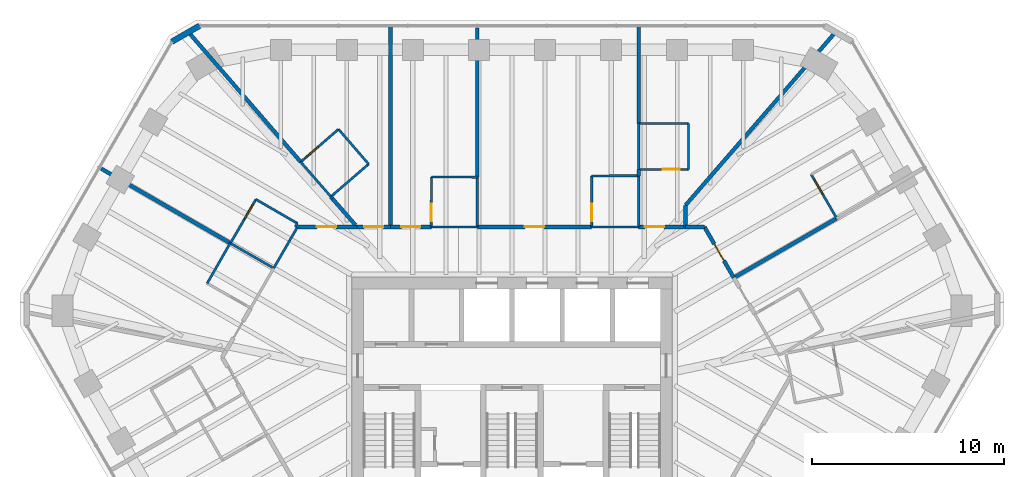
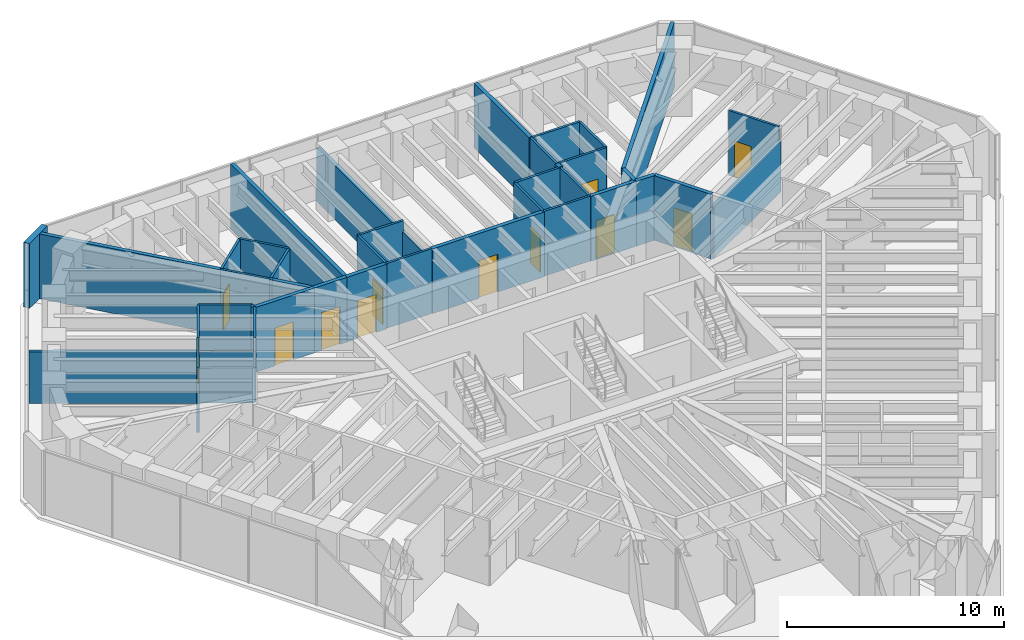
# One storey, part 12 of 14: 42 walls, 12 doors, 12 openings.
"""IFC4 building model written with IfcOpenShell, lengths in metres."""

from ifc_helpers import new_model, si_unit, direction, frame, frame_2d, origin, place, context, subcontext, project, spatial, rectangle, extrude, material, layer, layer_set, type_object, element, fill, save


model = new_model("IFC4")

# Units and contexts
model_context = context("Model", 3, precision=1e-05, world=origin(), true_north=direction((0.0, 1.0)))
body_context = subcontext(model_context, "Body", "Model", "MODEL_VIEW")
ifc_project = project(units=[si_unit("LENGTHUNIT", "METRE"), si_unit("AREAUNIT", "SQUARE_METRE"), si_unit("VOLUMEUNIT", "CUBIC_METRE"), si_unit("PLANEANGLEUNIT", "RADIAN"), si_unit("MASSUNIT", "GRAM", prefix="KILO")], contexts=[model_context])

# Site, building, storey
site_placement = place(None, origin())
site = spatial("IfcSite", under=ifc_project, at=site_placement, CompositionType="ELEMENT")
building_placement = place(site_placement, origin())
building = spatial("IfcBuilding", under=site, at=building_placement, Name="Sandreach Pilgrim Tower", CompositionType="ELEMENT")
storey_placement = place(building_placement, frame((0.0, 0.0, 260.800048828125)))
storey = spatial("IfcBuildingStorey", under=building, at=storey_placement, Name="L65", CompositionType="ELEMENT", Elevation=260.800048828125)

# Walls
ifc_material_1 = material(Name="Moisture-resistant gypsum board on steel studs", Category="steel")
ifc_layer_1 = layer(ifc_material_1, 0.1201171875)
ifc_layer_set_1 = layer_set([ifc_layer_1], Name="Bathroom partition 120")
wall_type_1 = type_object("IfcWallType", Name="Bathroom partition 120", PredefinedType="PARTITIONING", material=ifc_layer_set_1)
wall_1_placement = place(storey_placement, frame((-14.699951171875, 8.489990234375, 0.0), z_axis=(0.0, 0.0, 1.0), x_axis=(-0.496106327528, -0.868261776072, 0.0)))
element("IfcWall", 1, at=wall_1_placement, inside=storey, type_object=wall_type_1, Name="Bathroom partition L65-018", PredefinedType="PARTITIONING", context=body_context, shape_type="SweptSolid", body=[
    extrude(rectangle(XDim=2.418701171875, YDim=0.1201171875, at=frame_2d((1.20947265625, 0.0))), origin(), (0.0, 0.0, 1.0), 3.639892578125),
])
wall_2_placement = place(storey_placement, frame((-14.68994140625, 8.47998046875, 0.0), z_axis=(0.0, 0.0, 1.0), x_axis=(0.866816256489, -0.498627694264, 0.0)))
element("IfcWall", 2, at=wall_2_placement, inside=storey, type_object=wall_type_1, Name="Bathroom partition L65-019", PredefinedType="PARTITIONING", context=body_context, shape_type="SweptSolid", body=[
    extrude(rectangle(XDim=2.607177734375, YDim=0.1201171875, at=frame_2d((1.3037109375, 0.0))), origin(), (0.0, 0.0, 1.0), 2.8779296875),
])

# Wall, opening, door
wall_3_placement = place(storey_placement, frame((-13.360107421875, 10.77001953125, 0.0), z_axis=(0.0, 0.0, 1.0), x_axis=(-0.502173326652, -0.864766991738, 0.0)))
wall_3 = element("IfcWall", 3, at=wall_3_placement, inside=storey, type_object=wall_type_1, Name="Bathroom partition L65-022", PredefinedType="PARTITIONING", context=body_context, shape_type="SweptSolid", body=[
    extrude(rectangle(XDim=2.648193359375, YDim=0.1201171875, at=frame_2d((1.32421875, 0.0))), origin(), (0.0, 0.0, 1.0), 3.639892578125),
])
opening_1_placement = place(wall_3_placement, frame((0.300048828125, 0.0, 0.0)))
opening_1 = element("IfcOpeningElement", 4, at=opening_1_placement, cuts=wall_3, Name="Opening D09-17B", PredefinedType="OPENING", context=body_context, shape_type="SweptSolid", body=[
    extrude(rectangle(XDim=0.89990234375, YDim=2.030029296875, at=frame_2d((0.449951171875, 1.01513671875))), frame((0.0, 0.06005859375, 0.0), z_axis=(0.0, -1.0, 0.0), x_axis=(1.0, 0.0, 0.0)), (0.0, 0.0, 1.0), 0.1201171875),
])
ifc_material_2 = material(Name="Timber door, steel frame", Category="steel")
door_type_1 = type_object("IfcDoorType", Name="Bathroom door", OperationType="SINGLE_SWING_LEFT", PredefinedType="DOOR", material=ifc_material_2)
door_1_placement = place(opening_1_placement, origin())
door_1 = element("IfcDoor", 5, at=door_1_placement, inside=storey, type_object=door_type_1, Name="Door 6517B", OperationType="SINGLE_SWING_LEFT", OverallHeight=2.030029296875, OverallWidth=0.89990234375, PredefinedType="DOOR", context=body_context, shape_type="SweptSolid", body=[
    extrude(rectangle(XDim=0.89990234375, YDim=2.030029296875, at=frame_2d((0.449951171875, 1.01513671875))), frame((0.0, 0.02490234375, 0.0), z_axis=(0.0, -1.0, 0.0), x_axis=(1.0, 0.0, 0.0)), (0.0, 0.0, 1.0), 0.050048828125),
])
fill(opening_1, door_1)

# Walls
wall_4_placement = place(storey_placement, frame((-12.429931640625, 7.179931640625, 0.0), z_axis=(0.0, 0.0, 1.0), x_axis=(0.499577688184, 0.866269088372, 0.0)))
element("IfcWall", 6, at=wall_4_placement, inside=storey, type_object=wall_type_1, Name="Bathroom partition L65-024", PredefinedType="PARTITIONING", context=body_context, shape_type="SweptSolid", body=[
    extrude(rectangle(XDim=2.482177734375, YDim=0.1201171875, at=frame_2d((1.2412109375, 0.0))), origin(), (0.0, 0.0, 1.0), 3.639892578125),
])
wall_5_placement = place(storey_placement, frame((-11.31005859375, 9.330078125, 0.0), z_axis=(0.0, 0.0, 1.0), x_axis=(0.501518373175, 0.865146994081, 0.0)))
element("IfcWall", 7, at=wall_5_placement, inside=storey, type_object=wall_type_1, Name="Bathroom partition L65-027", PredefinedType="PARTITIONING", context=body_context, shape_type="SweptSolid", body=[
    extrude(rectangle(XDim=0.219482421875, YDim=0.1201171875, at=frame_2d((0.10986328125, 0.0))), origin(), (0.0, 0.0, 1.0), 3.639892578125),
])
wall_6_placement = place(storey_placement, frame((-11.199951171875, 9.52001953125, 0.0), z_axis=(0.0, 0.0, 1.0), x_axis=(-0.865533423938, 0.500851167559, 0.0)))
element("IfcWall", 8, at=wall_6_placement, inside=storey, type_object=wall_type_1, Name="Bathroom partition L65-028", PredefinedType="PARTITIONING", context=body_context, shape_type="SweptSolid", body=[
    extrude(rectangle(XDim=2.495849609375, YDim=0.1201171875, at=frame_2d((1.248046875, 0.0))), origin(), (0.0, 0.0, 1.0), 3.639892578125),
])
wall_7_placement = place(storey_placement, frame((-11.02001953125, 12.719970703125, 0.0), z_axis=(0.0, 0.0, 1.0), x_axis=(0.655252439976, -0.755409981338, 0.0)))
element("IfcWall", 9, at=wall_7_placement, inside=storey, type_object=wall_type_1, Name="Bathroom partition L65-029", PredefinedType="PARTITIONING", context=body_context, shape_type="SweptSolid", body=[
    extrude(rectangle(XDim=2.396240234375, YDim=0.1201171875, at=frame_2d((1.1982421875, 0.0))), origin(), (0.0, 0.0, 1.0), 3.639892578125),
])
wall_8_placement = place(storey_placement, frame((-9.449951171875, 10.909912109375, 0.0), z_axis=(0.0, 0.0, 1.0), x_axis=(0.757040252764, 0.65336823897, 0.0)))
element("IfcWall", 10, at=wall_8_placement, inside=storey, type_object=wall_type_1, Name="Bathroom partition L65-032", PredefinedType="PARTITIONING", context=body_context, shape_type="SweptSolid", body=[
    extrude(rectangle(XDim=2.602294921875, YDim=0.1201171875, at=frame_2d((1.30126953125, 0.0))), origin(), (0.0, 0.0, 1.0), 3.639892578125),
])

# Wall, opening, door
wall_9_placement = place(storey_placement, frame((-9.050048828125, 14.429931640625, 0.0), z_axis=(0.0, 0.0, 1.0), x_axis=(-0.755185511235, -0.655511131576, 0.0)))
wall_9 = element("IfcWall", 11, at=wall_9_placement, inside=storey, type_object=wall_type_1, Name="Bathroom partition L65-035", PredefinedType="PARTITIONING", context=body_context, shape_type="SweptSolid", body=[
    extrude(rectangle(XDim=2.608642578125, YDim=0.1201171875, at=frame_2d((1.30419921875, 0.0))), origin(), (0.0, 0.0, 1.0), 3.639892578125),
])
opening_2_placement = place(wall_9_placement, frame((1.40869140625, 0.0, 0.0)))
opening_2 = element("IfcOpeningElement", 12, at=opening_2_placement, cuts=wall_9, Name="Opening D09-01B", PredefinedType="OPENING", context=body_context, shape_type="SweptSolid", body=[
    extrude(rectangle(XDim=0.89990234375, YDim=2.030029296875, at=frame_2d((0.449951171875, 1.01513671875))), frame((0.0, 0.06005859375, 0.0), z_axis=(0.0, -1.0, 0.0), x_axis=(1.0, 0.0, 0.0)), (0.0, 0.0, 1.0), 0.1201171875),
])
door_2_placement = place(opening_2_placement, origin())
door_2 = element("IfcDoor", 13, at=door_2_placement, inside=storey, type_object=door_type_1, Name="Door 6501B", OperationType="SINGLE_SWING_RIGHT", OverallHeight=2.030029296875, OverallWidth=0.89990234375, PredefinedType="DOOR", context=body_context, shape_type="SweptSolid", body=[
    extrude(rectangle(XDim=0.89990234375, YDim=2.030029296875, at=frame_2d((0.449951171875, 1.01513671875))), frame((0.0, 0.02490234375, 0.0), z_axis=(0.0, -1.0, 0.0), x_axis=(1.0, 0.0, 0.0)), (0.0, 0.0, 1.0), 0.050048828125),
])
fill(opening_2, door_2)

# Walls
wall_10_placement = place(storey_placement, frame((-7.47998046875, 12.610107421875, 0.0), z_axis=(0.0, 0.0, 1.0), x_axis=(-0.653238965593, 0.75715180369, 0.0)))
element("IfcWall", 14, at=wall_10_placement, inside=storey, type_object=wall_type_1, Name="Bathroom partition L65-039", PredefinedType="PARTITIONING", context=body_context, shape_type="SweptSolid", body=[
    extrude(rectangle(XDim=2.403564453125, YDim=0.1201171875, at=frame_2d((1.20166015625, 0.0))), origin(), (0.0, 0.0, 1.0), 3.639892578125),
])
wall_11_placement = place(storey_placement, frame((-4.2099609375, 9.330078125, 0.0), z_axis=(0.0, 0.0, 1.0), x_axis=(1.0, 0.0, 0.0)))
element("IfcWall", 15, at=wall_11_placement, inside=storey, type_object=wall_type_1, Name="Bathroom partition L65-046", PredefinedType="PARTITIONING", context=body_context, shape_type="SweptSolid", body=[
    extrude(rectangle(XDim=2.39990234375, YDim=0.1201171875, at=frame_2d((1.199951171875, 0.0))), origin(), (0.0, 0.0, 1.0), 3.639892578125),
])

# Wall, opening, door
wall_12_placement = place(storey_placement, frame((-4.199951171875, 11.93994140625, 0.0), z_axis=(0.0, 0.0, 1.0), x_axis=(-0.003835331941, -0.999992645087, 0.0)))
wall_12 = element("IfcWall", 16, at=wall_12_placement, inside=storey, type_object=wall_type_1, Name="Bathroom partition L65-047", PredefinedType="PARTITIONING", context=body_context, shape_type="SweptSolid", body=[
    extrude(rectangle(XDim=2.60986328125, YDim=0.1201171875, at=frame_2d((1.304931640625, 0.0))), origin(), (0.0, 0.0, 1.0), 3.639892578125),
])
opening_3_placement = place(wall_12_placement, frame((1.409912109375, 0.0, 0.0)))
opening_3 = element("IfcOpeningElement", 17, at=opening_3_placement, cuts=wall_12, Name="Opening D09-02B", PredefinedType="OPENING", context=body_context, shape_type="SweptSolid", body=[
    extrude(rectangle(XDim=0.89990234375, YDim=2.030029296875, at=frame_2d((0.449951171875, 1.01513671875))), frame((0.0, 0.06005859375, 0.0), z_axis=(0.0, -1.0, 0.0), x_axis=(1.0, 0.0, 0.0)), (0.0, 0.0, 1.0), 0.1201171875),
])
door_3_placement = place(opening_3_placement, origin())
door_3 = element("IfcDoor", 18, at=door_3_placement, inside=storey, type_object=door_type_1, Name="Door 6502B", OperationType="SINGLE_SWING_RIGHT", OverallHeight=2.030029296875, OverallWidth=0.89990234375, PredefinedType="DOOR", context=body_context, shape_type="SweptSolid", body=[
    extrude(rectangle(XDim=0.89990234375, YDim=2.030029296875, at=frame_2d((0.449951171875, 1.01513671875))), frame((0.0, 0.02490234375, 0.0), z_axis=(0.0, -1.0, 0.0), x_axis=(1.0, 0.0, 0.0)), (0.0, 0.0, 1.0), 0.050048828125),
])
fill(opening_3, door_3)

# Walls
wall_13_placement = place(storey_placement, frame((-1.81005859375, 11.929931640625, 0.0), z_axis=(0.0, 0.0, 1.0), x_axis=(-0.999991228874, 0.00418833797, 0.0)))
element("IfcWall", 19, at=wall_13_placement, inside=storey, type_object=wall_type_1, Name="Bathroom partition L65-059", PredefinedType="PARTITIONING", context=body_context, shape_type="SweptSolid", body=[
    extrude(rectangle(XDim=2.389892578125, YDim=0.1201171875, at=frame_2d((1.19482421875, 0.0))), origin(), (0.0, 0.0, 1.0), 3.639892578125),
])
wall_14_placement = place(storey_placement, frame((-1.81005859375, 11.929931640625, 0.0), z_axis=(0.0, 0.0, 1.0), x_axis=(0.0, -1.0, 0.0)))
element("IfcWall", 20, at=wall_14_placement, inside=storey, type_object=wall_type_1, Name="Bathroom partition L65-060", PredefinedType="PARTITIONING", context=body_context, shape_type="SweptSolid", body=[
    extrude(rectangle(XDim=2.599853515625, YDim=0.1201171875, at=frame_2d((1.2998046875, 0.0))), origin(), (0.0, 0.0, 1.0), 3.022705078125),
])

# Wall, opening, door
wall_15_placement = place(storey_placement, frame((4.159912109375, 11.989990234375, 0.0), z_axis=(0.0, 0.0, 1.0), x_axis=(0.0, -1.0, 0.0)))
wall_15 = element("IfcWall", 21, at=wall_15_placement, inside=storey, type_object=wall_type_1, Name="Bathroom partition L65-076", PredefinedType="PARTITIONING", context=body_context, shape_type="SweptSolid", body=[
    extrude(rectangle(XDim=2.659912109375, YDim=0.1201171875, at=frame_2d((1.330078125, 0.0))), origin(), (0.0, 0.0, 1.0), 3.639892578125),
])
opening_4_placement = place(wall_15_placement, frame((1.4599609375, 0.0, 0.0)))
opening_4 = element("IfcOpeningElement", 22, at=opening_4_placement, cuts=wall_15, Name="Opening D09-03B", PredefinedType="OPENING", context=body_context, shape_type="SweptSolid", body=[
    extrude(rectangle(XDim=0.89990234375, YDim=2.030029296875, at=frame_2d((0.449951171875, 1.01513671875))), frame((0.0, 0.06005859375, 0.0), z_axis=(0.0, -1.0, 0.0), x_axis=(1.0, 0.0, 0.0)), (0.0, 0.0, 1.0), 0.1201171875),
])
door_4_placement = place(opening_4_placement, origin())
door_4 = element("IfcDoor", 23, at=door_4_placement, inside=storey, type_object=door_type_1, Name="Door 6503B", OperationType="SINGLE_SWING_RIGHT", OverallHeight=2.030029296875, OverallWidth=0.89990234375, PredefinedType="DOOR", context=body_context, shape_type="SweptSolid", body=[
    extrude(rectangle(XDim=0.89990234375, YDim=2.030029296875, at=frame_2d((0.449951171875, 1.01513671875))), frame((0.0, 0.02490234375, 0.0), z_axis=(0.0, -1.0, 0.0), x_axis=(1.0, 0.0, 0.0)), (0.0, 0.0, 1.0), 0.050048828125),
])
fill(opening_4, door_4)

# Walls
for number, where, z_axis, x_axis, name in (
    (24, (6.610107421875, 9.330078125, 0.0), (0.0, 0.0, 1.0), (-1.0, 0.0, 0.0), "Bathroom partition L65-083"),
    (25, (6.610107421875, 12.0, 0.0), (0.0, 0.0, 1.0), (-0.999991655295, -0.004085258855, 0.0), "Bathroom partition L65-085"),
):
    element("IfcWall", number, at=place(storey_placement, frame(where, z_axis=z_axis, x_axis=x_axis)), inside=storey, type_object=wall_type_1, Name=name, PredefinedType="PARTITIONING", context=body_context, shape_type="SweptSolid", body=[
        extrude(rectangle(XDim=2.4501953125, YDim=0.1201171875, at=frame_2d((1.22509765625, 0.0))), origin(), (0.0, 0.0, 1.0), 3.639892578125),
    ])
wall_16_placement = place(storey_placement, frame((6.610107421875, 12.0, 0.0), z_axis=(0.0, 0.0, 1.0), x_axis=(0.0, -1.0, 0.0)))
element("IfcWall", 26, at=wall_16_placement, inside=storey, type_object=wall_type_1, Name="Bathroom partition L65-086", PredefinedType="PARTITIONING", context=body_context, shape_type="SweptSolid", body=[
    extrude(rectangle(XDim=2.669921875, YDim=0.1201171875, at=frame_2d((1.3349609375, 0.0))), origin(), (0.0, 0.0, 1.0), 3.639892578125),
])

# Wall, opening, door
wall_17_placement = place(storey_placement, frame((6.610107421875, 12.330078125, 0.0), z_axis=(0.0, 0.0, 1.0), x_axis=(1.0, 0.0, 0.0)))
wall_17 = element("IfcWall", 27, at=wall_17_placement, inside=storey, type_object=wall_type_1, Name="Bathroom partition L65-088", PredefinedType="PARTITIONING", context=body_context, shape_type="SweptSolid", body=[
    extrude(rectangle(XDim=2.599853515625, YDim=0.1201171875, at=frame_2d((1.2998046875, 0.0))), origin(), (0.0, 0.0, 1.0), 3.639892578125),
])
opening_5_placement = place(wall_17_placement, frame((1.25, 0.0, 0.0)))
opening_5 = element("IfcOpeningElement", 28, at=opening_5_placement, cuts=wall_17, Name="Opening D09-04B", PredefinedType="OPENING", context=body_context, shape_type="SweptSolid", body=[
    extrude(rectangle(XDim=0.89990234375, YDim=2.030029296875, at=frame_2d((0.449951171875, 1.01513671875))), frame((0.0, 0.06005859375, 0.0), z_axis=(0.0, -1.0, 0.0), x_axis=(1.0, 0.0, 0.0)), (0.0, 0.0, 1.0), 0.1201171875),
])
door_5_placement = place(opening_5_placement, origin())
door_5 = element("IfcDoor", 29, at=door_5_placement, inside=storey, type_object=door_type_1, Name="Door 6504B", OperationType="SINGLE_SWING_RIGHT", OverallHeight=2.030029296875, OverallWidth=0.89990234375, PredefinedType="DOOR", context=body_context, shape_type="SweptSolid", body=[
    extrude(rectangle(XDim=0.89990234375, YDim=2.030029296875, at=frame_2d((0.449951171875, 1.01513671875))), frame((0.0, 0.02490234375, 0.0), z_axis=(0.0, -1.0, 0.0), x_axis=(1.0, 0.0, 0.0)), (0.0, 0.0, 1.0), 0.050048828125),
])
fill(opening_5, door_5)

# Walls
for number, where, z_axis, x_axis, name in (
    (30, (6.610107421875, 14.72998046875, 0.0), (0.0, 0.0, 1.0), (0.0, -1.0, 0.0), "Bathroom partition L65-089"),
    (31, (9.2099609375, 12.330078125, 0.0), (0.0, 0.0, 1.0), (0.0, 1.0, 0.0), "Bathroom partition L65-100"),
):
    element("IfcWall", number, at=place(storey_placement, frame(where, z_axis=z_axis, x_axis=x_axis)), inside=storey, type_object=wall_type_1, Name=name, PredefinedType="PARTITIONING", context=body_context, shape_type="SweptSolid", body=[
        extrude(rectangle(XDim=2.39990234375, YDim=0.1201171875, at=frame_2d((1.199951171875, 0.0))), origin(), (0.0, 0.0, 1.0), 3.639892578125),
    ])
wall_18_placement = place(storey_placement, frame((9.2099609375, 14.72998046875, 0.0), z_axis=(0.0, 0.0, 1.0), x_axis=(-1.0, 0.0, 0.0)))
element("IfcWall", 32, at=wall_18_placement, inside=storey, type_object=wall_type_1, Name="Bathroom partition L65-101", PredefinedType="PARTITIONING", context=body_context, shape_type="SweptSolid", body=[
    extrude(rectangle(XDim=2.599853515625, YDim=0.1201171875, at=frame_2d((1.2998046875, 0.0))), origin(), (0.0, 0.0, 1.0), 3.639892578125),
])

# Wall, opening, door
wall_19_placement = place(storey_placement, frame((15.610107421875, 12.070068359375, 0.0), z_axis=(0.0, 0.0, 1.0), x_axis=(0.502173326652, -0.864766991738, 0.0)))
wall_19 = element("IfcWall", 33, at=wall_19_placement, inside=storey, type_object=wall_type_1, Name="Bathroom partition L65-116", PredefinedType="PARTITIONING", context=body_context, shape_type="SweptSolid", body=[
    extrude(rectangle(XDim=2.648193359375, YDim=0.1201171875, at=frame_2d((1.32421875, 0.0))), origin(), (0.0, 0.0, 1.0), 3.639892578125),
])
opening_6_placement = place(wall_19_placement, frame((0.300048828125, 0.0, 0.0)))
opening_6 = element("IfcOpeningElement", 34, at=opening_6_placement, cuts=wall_19, Name="Opening D09-05B", PredefinedType="OPENING", context=body_context, shape_type="SweptSolid", body=[
    extrude(rectangle(XDim=0.89990234375, YDim=2.030029296875, at=frame_2d((0.449951171875, 1.01513671875))), frame((0.0, 0.06005859375, 0.0), z_axis=(0.0, -1.0, 0.0), x_axis=(1.0, 0.0, 0.0)), (0.0, 0.0, 1.0), 0.1201171875),
])
door_6_placement = place(opening_6_placement, origin())
door_6 = element("IfcDoor", 35, at=door_6_placement, inside=storey, type_object=door_type_1, Name="Door 6505B", OperationType="SINGLE_SWING_LEFT", OverallHeight=2.030029296875, OverallWidth=0.89990234375, PredefinedType="DOOR", context=body_context, shape_type="SweptSolid", body=[
    extrude(rectangle(XDim=0.89990234375, YDim=2.030029296875, at=frame_2d((0.449951171875, 1.01513671875))), frame((0.0, 0.02490234375, 0.0), z_axis=(0.0, -1.0, 0.0), x_axis=(1.0, 0.0, 0.0)), (0.0, 0.0, 1.0), 0.050048828125),
])
fill(opening_6, door_6)

ifc_material_3 = material(Name="Gypsum board on steel studs, two layers each side", Category="steel")
ifc_layer_2 = layer(ifc_material_3, 0.199951171875)
ifc_layer_set_2 = layer_set([ifc_layer_2], Name="Corridor wall 200")
wall_type_2 = type_object("IfcWallType", Name="Corridor wall 200", PredefinedType="PARTITIONING", material=ifc_layer_set_2)
wall_20_placement = place(storey_placement, frame((-8.080078125, 9.330078125, 0.0), z_axis=(0.0, 0.0, 1.0), x_axis=(-1.0, 0.0, 0.0)))
wall_20 = element("IfcWall", 36, at=wall_20_placement, inside=storey, type_object=wall_type_2, Name="Corridor wall L65-038", PredefinedType="PARTITIONING", context=body_context, shape_type="SweptSolid", body=[
    extrude(rectangle(XDim=3.10986328125, YDim=0.199951171875, at=frame_2d((1.554931640625, 0.0))), origin(), (0.0, 0.0, 1.0), 3.639892578125),
])
opening_7_placement = place(wall_20_placement, frame((1.10009765625, 0.0, 0.0)))
opening_7 = element("IfcOpeningElement", 37, at=opening_7_placement, cuts=wall_20, Name="Opening D10-17", PredefinedType="OPENING", context=body_context, shape_type="SweptSolid", body=[
    extrude(rectangle(XDim=1.0, YDim=2.1298828125, at=frame_2d((0.5, 1.06494140625))), frame((0.0, 0.10009765625, 0.0), z_axis=(0.0, -1.0, 0.0), x_axis=(1.0, 0.0, 0.0)), (0.0, 0.0, 1.0), 0.199951171875),
])
ifc_material_4 = material(Name="Steel door and frame", Category="steel")
door_type_2 = type_object("IfcDoorType", Name="Guest room entry door", OperationType="SINGLE_SWING_LEFT", PredefinedType="DOOR", material=ifc_material_4)
door_7_placement = place(opening_7_placement, origin())
door_7 = element("IfcDoor", 38, at=door_7_placement, inside=storey, type_object=door_type_2, Name="Door 6517", OperationType="SINGLE_SWING_RIGHT", OverallHeight=2.1298828125, OverallWidth=1.0, PredefinedType="DOOR", context=body_context, shape_type="SweptSolid", body=[
    extrude(rectangle(XDim=1.0, YDim=2.1298828125, at=frame_2d((0.5, 1.06494140625))), frame((0.0, 0.02490234375, 0.0), z_axis=(0.0, -1.0, 0.0), x_axis=(1.0, 0.0, 0.0)), (0.0, 0.0, 1.0), 0.050048828125),
])
fill(opening_7, door_7)

wall_21_placement = place(storey_placement, frame((-6.340087890625, 9.330078125, 0.0), z_axis=(0.0, 0.0, 1.0), x_axis=(-1.0, 0.0, 0.0)))
wall_21 = element("IfcWall", 39, at=wall_21_placement, inside=storey, type_object=wall_type_2, Name="Corridor wall L65-040", PredefinedType="PARTITIONING", context=body_context, shape_type="SweptSolid", body=[
    extrude(rectangle(XDim=1.739990234375, YDim=0.199951171875, at=frame_2d((0.8701171875, 0.0))), origin(), (0.0, 0.0, 1.0), 3.639892578125),
])
opening_8_placement = place(wall_21_placement, frame((0.3701171875, 0.0, 0.0)))
opening_8 = element("IfcOpeningElement", 40, at=opening_8_placement, cuts=wall_21, Name="Opening D10-01", PredefinedType="OPENING", context=body_context, shape_type="SweptSolid", body=[
    extrude(rectangle(XDim=1.0, YDim=2.1298828125, at=frame_2d((0.5, 1.06494140625))), frame((0.0, 0.10009765625, 0.0), z_axis=(0.0, -1.0, 0.0), x_axis=(1.0, 0.0, 0.0)), (0.0, 0.0, 1.0), 0.199951171875),
])
door_8_placement = place(opening_8_placement, origin())
door_8 = element("IfcDoor", 41, at=door_8_placement, inside=storey, type_object=door_type_2, Name="Door 6501", OperationType="SINGLE_SWING_LEFT", OverallHeight=2.1298828125, OverallWidth=1.0, PredefinedType="DOOR", context=body_context, shape_type="SweptSolid", body=[
    extrude(rectangle(XDim=1.0, YDim=2.1298828125, at=frame_2d((0.5, 1.06494140625))), frame((0.0, 0.02490234375, 0.0), z_axis=(0.0, -1.0, 0.0), x_axis=(1.0, 0.0, 0.0)), (0.0, 0.0, 1.0), 0.050048828125),
])
fill(opening_8, door_8)

wall_22_placement = place(storey_placement, frame((-4.2099609375, 9.330078125, 0.0), z_axis=(0.0, 0.0, 1.0), x_axis=(-1.0, 0.0, 0.0)))
wall_22 = element("IfcWall", 42, at=wall_22_placement, inside=storey, type_object=wall_type_2, Name="Corridor wall L65-045", PredefinedType="PARTITIONING", context=body_context, shape_type="SweptSolid", body=[
    extrude(rectangle(XDim=2.130126953125, YDim=0.199951171875, at=frame_2d((1.06494140625, 0.0))), origin(), (0.0, 0.0, 1.0), 3.639892578125),
])
opening_9_placement = place(wall_22_placement, frame((0.56494140625, 0.0, 0.0)))
opening_9 = element("IfcOpeningElement", 43, at=opening_9_placement, cuts=wall_22, Name="Opening D10-02", PredefinedType="OPENING", context=body_context, shape_type="SweptSolid", body=[
    extrude(rectangle(XDim=1.0, YDim=2.1298828125, at=frame_2d((0.5, 1.06494140625))), frame((0.0, 0.10009765625, 0.0), z_axis=(0.0, -1.0, 0.0), x_axis=(1.0, 0.0, 0.0)), (0.0, 0.0, 1.0), 0.199951171875),
])
door_9_placement = place(opening_9_placement, origin())
door_9 = element("IfcDoor", 44, at=door_9_placement, inside=storey, type_object=door_type_2, Name="Door 6502", OperationType="SINGLE_SWING_LEFT", OverallHeight=2.1298828125, OverallWidth=1.0, PredefinedType="DOOR", context=body_context, shape_type="SweptSolid", body=[
    extrude(rectangle(XDim=1.0, YDim=2.1298828125, at=frame_2d((0.5, 1.06494140625))), frame((0.0, 0.02490234375, 0.0), z_axis=(0.0, -1.0, 0.0), x_axis=(1.0, 0.0, 0.0)), (0.0, 0.0, 1.0), 0.050048828125),
])
fill(opening_9, door_9)

wall_23_placement = place(storey_placement, frame((4.159912109375, 9.330078125, 0.0), z_axis=(0.0, 0.0, 1.0), x_axis=(-1.0, 0.0, 0.0)))
wall_23 = element("IfcWall", 45, at=wall_23_placement, inside=storey, type_object=wall_type_2, Name="Corridor wall L65-075", PredefinedType="PARTITIONING", context=body_context, shape_type="SweptSolid", body=[
    extrude(rectangle(XDim=5.969970703125, YDim=0.199951171875, at=frame_2d((2.98486328125, 0.0))), origin(), (0.0, 0.0, 1.0), 3.639892578125),
])
opening_10_placement = place(wall_23_placement, frame((2.485107421875, 0.0, 0.0)))
opening_10 = element("IfcOpeningElement", 46, at=opening_10_placement, cuts=wall_23, Name="Opening D10-03", PredefinedType="OPENING", context=body_context, shape_type="SweptSolid", body=[
    extrude(rectangle(XDim=1.0, YDim=2.1298828125, at=frame_2d((0.5, 1.06494140625))), frame((0.0, 0.10009765625, 0.0), z_axis=(0.0, -1.0, 0.0), x_axis=(1.0, 0.0, 0.0)), (0.0, 0.0, 1.0), 0.199951171875),
])
door_10_placement = place(opening_10_placement, origin())
door_10 = element("IfcDoor", 47, at=door_10_placement, inside=storey, type_object=door_type_2, Name="Door 6503", OperationType="SINGLE_SWING_LEFT", OverallHeight=2.1298828125, OverallWidth=1.0, PredefinedType="DOOR", context=body_context, shape_type="SweptSolid", body=[
    extrude(rectangle(XDim=1.0, YDim=2.1298828125, at=frame_2d((0.5, 1.06494140625))), frame((0.0, 0.02490234375, 0.0), z_axis=(0.0, -1.0, 0.0), x_axis=(1.0, 0.0, 0.0)), (0.0, 0.0, 1.0), 0.050048828125),
])
fill(opening_10, door_10)

wall_24_placement = place(storey_placement, frame((6.610107421875, 9.330078125, 0.0), z_axis=(0.0, 0.0, 1.0), x_axis=(1.0, 0.0, 0.0)))
wall_24 = element("IfcWall", 48, at=wall_24_placement, inside=storey, type_object=wall_type_2, Name="Corridor wall L65-084", PredefinedType="PARTITIONING", context=body_context, shape_type="SweptSolid", body=[
    extrude(rectangle(XDim=2.43994140625, YDim=0.199951171875, at=frame_2d((1.219970703125, 0.0))), origin(), (0.0, 0.0, 1.0), 3.639892578125),
])
opening_11_placement = place(wall_24_placement, frame((0.320068359375, 0.0, 0.0)))
opening_11 = element("IfcOpeningElement", 49, at=opening_11_placement, cuts=wall_24, Name="Opening D10-04", PredefinedType="OPENING", context=body_context, shape_type="SweptSolid", body=[
    extrude(rectangle(XDim=1.0, YDim=2.1298828125, at=frame_2d((0.5, 1.06494140625))), frame((0.0, 0.10009765625, 0.0), z_axis=(0.0, -1.0, 0.0), x_axis=(1.0, 0.0, 0.0)), (0.0, 0.0, 1.0), 0.199951171875),
])
door_11_placement = place(opening_11_placement, origin())
door_11 = element("IfcDoor", 50, at=door_11_placement, inside=storey, type_object=door_type_2, Name="Door 6504", OperationType="SINGLE_SWING_LEFT", OverallHeight=2.1298828125, OverallWidth=1.0, PredefinedType="DOOR", context=body_context, shape_type="SweptSolid", body=[
    extrude(rectangle(XDim=1.0, YDim=2.1298828125, at=frame_2d((0.5, 1.06494140625))), frame((0.0, 0.02490234375, 0.0), z_axis=(0.0, -1.0, 0.0), x_axis=(1.0, 0.0, 0.0)), (0.0, 0.0, 1.0), 0.050048828125),
])
fill(opening_11, door_11)

# Wall
wall_25_placement = place(storey_placement, frame((10.0400390625, 9.330078125, 0.0), z_axis=(0.0, 0.0, 1.0), x_axis=(-1.0, 0.0, 0.0)))
element("IfcWall", 51, at=wall_25_placement, inside=storey, type_object=wall_type_2, Name="Corridor wall L65-104", PredefinedType="PARTITIONING", context=body_context, shape_type="SweptSolid", body=[
    extrude(rectangle(XDim=0.989990234375, YDim=0.199951171875, at=frame_2d((0.4951171875, 0.0))), origin(), (0.0, 0.0, 1.0), 3.639892578125),
])

# Wall, opening, door
wall_26_placement = place(storey_placement, frame((10.0400390625, 9.330078125, 0.0), z_axis=(0.0, 0.0, 1.0), x_axis=(0.50033475521, -0.86583204649, 0.0)))
wall_26 = element("IfcWall", 52, at=wall_26_placement, inside=storey, type_object=wall_type_2, Name="Corridor wall L65-105", PredefinedType="PARTITIONING", context=body_context, shape_type="SweptSolid", body=[
    extrude(rectangle(XDim=3.06005859375, YDim=0.199951171875, at=frame_2d((1.530029296875, 0.0))), origin(), (0.0, 0.0, 1.0), 3.639892578125),
])
opening_12_placement = place(wall_26_placement, frame((1.030029296875, 0.0, 0.0)))
opening_12 = element("IfcOpeningElement", 53, at=opening_12_placement, cuts=wall_26, Name="Opening D10-05", PredefinedType="OPENING", context=body_context, shape_type="SweptSolid", body=[
    extrude(rectangle(XDim=1.0, YDim=2.1298828125, at=frame_2d((0.5, 1.06494140625))), frame((0.0, 0.10009765625, 0.0), z_axis=(0.0, -1.0, 0.0), x_axis=(1.0, 0.0, 0.0)), (0.0, 0.0, 1.0), 0.199951171875),
])
door_12_placement = place(opening_12_placement, origin())
door_12 = element("IfcDoor", 54, at=door_12_placement, inside=storey, type_object=door_type_2, Name="Door 6505", OperationType="SINGLE_SWING_LEFT", OverallHeight=2.1298828125, OverallWidth=1.0, PredefinedType="DOOR", context=body_context, shape_type="SweptSolid", body=[
    extrude(rectangle(XDim=1.0, YDim=2.1298828125, at=frame_2d((0.5, 1.06494140625))), frame((0.0, 0.02490234375, 0.0), z_axis=(0.0, -1.0, 0.0), x_axis=(1.0, 0.0, 0.0)), (0.0, 0.0, 1.0), 0.050048828125),
])
fill(opening_12, door_12)

# Walls
ifc_material_5 = material(Name="Double steel stud acoustic wall, gypsum board", Category="steel")
ifc_layer_3 = layer(ifc_material_5, 0.199951171875)
ifc_layer_set_3 = layer_set([ifc_layer_3], Name="Party wall 200")
wall_type_3 = type_object("IfcWallType", Name="Party wall 200", PredefinedType="PARTITIONING", material=ifc_layer_set_3)
wall_27_placement = place(storey_placement, frame((-21.426025390625, 12.3701171875, 0.0), z_axis=(0.0, 0.0, 1.0), x_axis=(0.866202335538, -0.499693419917, 0.0)))
element("IfcWall", 55, at=wall_27_placement, inside=storey, type_object=wall_type_3, Name="Party wall L65-002", PredefinedType="PARTITIONING", context=body_context, shape_type="SweptSolid", body=[
    extrude(rectangle(XDim=7.76513671875, YDim=0.199951171875, at=frame_2d((3.882568359375, 0.0))), origin(), (0.0, 0.0, 1.0), 2.8779296875),
])
wall_28_placement = place(storey_placement, frame((-16.890380859375, 19.50732421875, 0.0), z_axis=(0.0, 0.0, 1.0), x_axis=(0.65416581431, -0.756351166713, 0.0)))
element("IfcWall", 56, at=wall_28_placement, inside=storey, type_object=wall_type_3, Name="Party wall L65-006", PredefinedType="PARTITIONING", context=body_context, shape_type="SweptSolid", body=[
    extrude(rectangle(XDim=8.973876953125, YDim=0.199951171875, at=frame_2d((4.48681640625, 0.0))), origin(), (0.0, 0.0, 1.0), 3.639892578125),
])
wall_29_placement = place(storey_placement, frame((-9.449951171875, 10.909912109375, 0.0), z_axis=(0.0, 0.0, 1.0), x_axis=(0.625625039906, -0.780123906468, 0.0)))
element("IfcWall", 57, at=wall_29_placement, inside=storey, type_object=wall_type_3, Name="Party wall L65-031", PredefinedType="PARTITIONING", context=body_context, shape_type="SweptSolid", body=[
    extrude(rectangle(XDim=0.1279296875, YDim=0.199951171875, at=frame_2d((0.06396484375, 0.0))), origin(), (0.0, 0.0, 1.0), 3.639892578125),
])
wall_30_placement = place(storey_placement, frame((-9.3701171875, 10.81005859375, 0.0), z_axis=(0.0, 0.0, 1.0), x_axis=(0.657042073586, -0.753853907291, 0.0)))
element("IfcWall", 58, at=wall_30_placement, inside=storey, type_object=wall_type_3, Name="Party wall L65-033", PredefinedType="PARTITIONING", context=body_context, shape_type="SweptSolid", body=[
    extrude(rectangle(XDim=1.833251953125, YDim=0.199951171875, at=frame_2d((0.91650390625, 0.0))), origin(), (0.0, 0.0, 1.0), 3.639892578125),
])
wall_31_placement = place(storey_placement, frame((-6.340087890625, 19.800048828125, 0.0), z_axis=(0.0, 0.0, 1.0), x_axis=(0.0, -1.0, 0.0)))
element("IfcWall", 59, at=wall_31_placement, inside=storey, type_object=wall_type_3, Name="Party wall L65-041", PredefinedType="PARTITIONING", context=body_context, shape_type="SweptSolid", body=[
    extrude(rectangle(XDim=10.455078125, YDim=0.199951171875, at=frame_2d((5.2275390625, 0.0))), origin(), (0.0, 0.0, 1.0), 3.639892578125),
])
wall_32_placement = place(storey_placement, frame((-1.81005859375, 19.7099609375, 0.0), z_axis=(0.0, 0.0, 1.0), x_axis=(0.0, -1.0, 0.0)))
element("IfcWall", 60, at=wall_32_placement, inside=storey, type_object=wall_type_3, Name="Party wall L65-061", PredefinedType="PARTITIONING", context=body_context, shape_type="SweptSolid", body=[
    extrude(rectangle(XDim=7.780029296875, YDim=0.199951171875, at=frame_2d((3.89013671875, 0.0))), origin(), (0.0, 0.0, 1.0), 3.022705078125),
])
wall_33_placement = place(storey_placement, frame((6.610107421875, 12.330078125, 0.0), z_axis=(0.0, 0.0, 1.0), x_axis=(0.0, -1.0, 0.0)))
element("IfcWall", 61, at=wall_33_placement, inside=storey, type_object=wall_type_3, Name="Party wall L65-087", PredefinedType="PARTITIONING", context=body_context, shape_type="SweptSolid", body=[
    extrude(rectangle(XDim=0.330078125, YDim=0.199951171875, at=frame_2d((0.1650390625, 0.0))), origin(), (0.0, 0.0, 1.0), 3.639892578125),
])
wall_34_placement = place(storey_placement, frame((6.610107421875, 19.800048828125, 0.0), z_axis=(0.0, 0.0, 1.0), x_axis=(0.0, -1.0, 0.0)))
element("IfcWall", 62, at=wall_34_placement, inside=storey, type_object=wall_type_3, Name="Party wall L65-090", PredefinedType="PARTITIONING", context=body_context, shape_type="SweptSolid", body=[
    extrude(rectangle(XDim=5.070068359375, YDim=0.199951171875, at=frame_2d((2.53515625, 0.0))), origin(), (0.0, 0.0, 1.0), 3.639892578125),
])
wall_35_placement = place(storey_placement, frame((9.050048828125, 10.4599609375, 0.0), z_axis=(0.0, 0.0, 1.0), x_axis=(0.0, -1.0, 0.0)))
element("IfcWall", 63, at=wall_35_placement, inside=storey, type_object=wall_type_3, Name="Party wall L65-099", PredefinedType="PARTITIONING", context=body_context, shape_type="SweptSolid", body=[
    extrude(rectangle(XDim=1.119873046875, YDim=0.199951171875, at=frame_2d((0.56005859375, 0.0))), origin(), (0.0, 0.0, 1.0), 3.639892578125),
])
wall_36_placement = place(storey_placement, frame((11.5830078125, 6.6875, 0.0), z_axis=(0.0, 0.0, 1.0), x_axis=(0.866046247233, 0.49996389635, 0.0)))
element("IfcWall", 64, at=wall_36_placement, inside=storey, type_object=wall_type_3, Name="Party wall L65-108", PredefinedType="PARTITIONING", context=body_context, shape_type="SweptSolid", body=[
    extrude(rectangle(XDim=6.185546875, YDim=0.199951171875, at=frame_2d((3.0927734375, 0.0))), origin(), (0.0, 0.0, 1.0), 2.8779296875),
])
wall_37_placement = place(storey_placement, frame((16.890380859375, 19.50732421875, 0.0), z_axis=(0.0, 0.0, 1.0), x_axis=(-0.654896377117, -0.755718687899, 0.0)))
element("IfcWall", 65, at=wall_37_placement, inside=storey, type_object=wall_type_3, Name="Party wall L65-120", PredefinedType="PARTITIONING", context=body_context, shape_type="SweptSolid", body=[
    extrude(rectangle(XDim=11.971923828125, YDim=0.199951171875, at=frame_2d((5.98583984375, 0.0))), origin(), (0.0, 0.0, 1.0), 3.639892578125),
])
ifc_material_6 = material(Name="Terracotta rainscreen on concrete", Category="masonry")
ifc_layer_4 = layer(ifc_material_6, 0.300048828125)
ifc_layer_set_4 = layer_set([ifc_layer_4], Name="Terracotta chamfer pier")
wall_type_4 = type_object("IfcWallType", Name="Terracotta chamfer pier", PredefinedType="SOLIDWALL", material=ifc_layer_set_4)
wall_38_placement = place(storey_placement, frame((-17.736083984375, 18.996337890625, 0.0), z_axis=(0.0, 0.0, 1.0), x_axis=(0.866026405774, 0.499998264499, 0.0)))
element("IfcWall", 66, at=wall_38_placement, inside=storey, type_object=wall_type_4, Name="Chamfer pier L65 NW", PredefinedType="SOLIDWALL", context=body_context, shape_type="SweptSolid", body=[
    extrude(rectangle(XDim=1.66015625, YDim=0.300048828125, at=frame_2d((0.830078125, 0.0))), origin(), (0.0, 0.0, 1.0), 3.639892578125),
])

save(model, "model.ifc")
